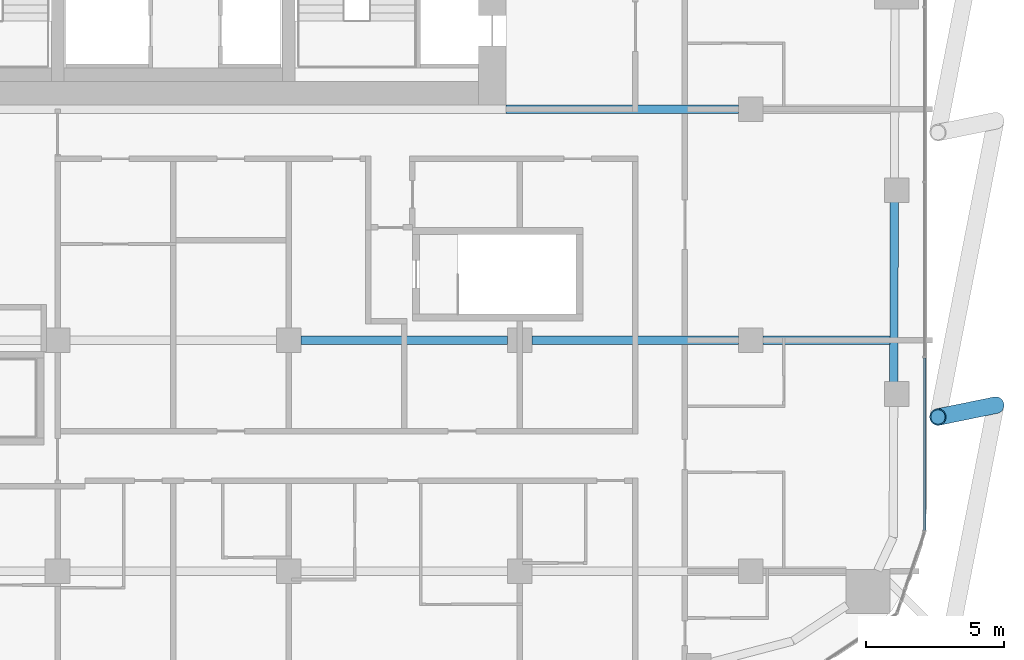
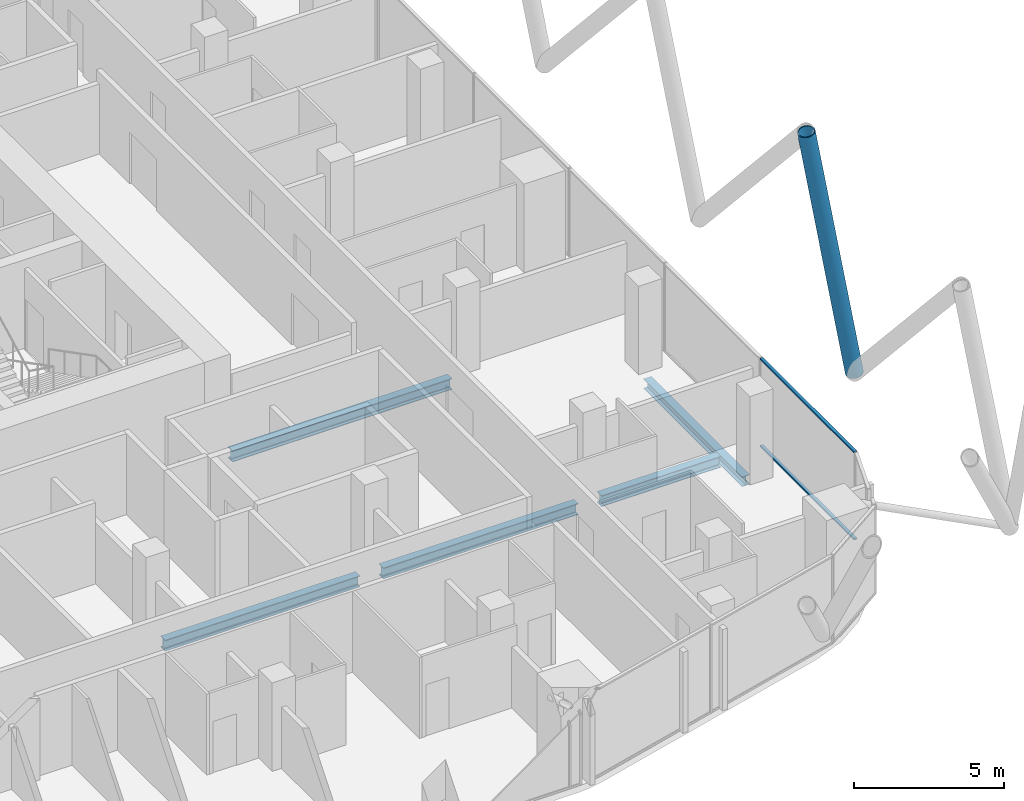
# One storey, part 8 of 34: 5 beams, 3 members, 1 element without a shape of its own.
"""IFC4 building model written with IfcOpenShell, lengths in metres."""

from ifc_helpers import new_model, si_unit, direction, frame, origin, origin_2d, place, context, subcontext, project, spatial, rectangle, hollow_circle, i_section, extrude, material, layer, layer_set, material_profile, profile_set, type_object, element, aggregate, save


model = new_model("IFC4")

# Units and contexts
model_context = context("Model", 3, precision=1e-05, world=origin(), true_north=direction((0.0, 1.0)))
body_context = subcontext(model_context, "Body", "Model", "MODEL_VIEW")
ifc_project = project(units=[si_unit("LENGTHUNIT", "METRE"), si_unit("AREAUNIT", "SQUARE_METRE"), si_unit("VOLUMEUNIT", "CUBIC_METRE"), si_unit("PLANEANGLEUNIT", "RADIAN"), si_unit("MASSUNIT", "GRAM", prefix="KILO")], contexts=[model_context])

# Site, building, storey
site_placement = place(None, origin())
site = spatial("IfcSite", under=ifc_project, at=site_placement, CompositionType="ELEMENT")
building_placement = place(site_placement, origin())
building = spatial("IfcBuilding", under=site, at=building_placement, Name="Marenta Gate Hotel Tower", CompositionType="ELEMENT")
storey_placement = place(building_placement, frame((0.0, 0.0, 166.10009765625)))
storey = spatial("IfcBuildingStorey", under=building, at=storey_placement, Name="L39", CompositionType="ELEMENT", Elevation=166.10009765625)

# Member
ifc_material_1 = material(Name="Steel S355J2W", Category="steel")
ifc_material_profile_1 = material_profile(ifc_material_1, hollow_circle(Radius=0.304931640625, WallThickness=0.0400390625, at=origin_2d()), Name="CHS 610x40")
ifc_profile_set_1 = profile_set([ifc_material_profile_1], Name="Steel S355J2W")
member_type_1 = type_object("IfcMemberType", Name="Diagrid diagonal T2 CHS 610x40", PredefinedType="BRACE", material=ifc_profile_set_1)
member_1_placement = place(storey_placement, frame((29.89990234375, -10.760009765625, 3.139892578125), z_axis=(-0.190710283799, -0.03906888967, 0.980868599514), x_axis=(0.200691904122, -0.979654408258, 0.0)))
element("IfcMember", 1, at=member_1_placement, inside=storey, type_object=member_type_1, Name="L39-DG-8", PredefinedType="BRACE", context=body_context, shape_type="SweptSolid", body=[
    extrude(hollow_circle(Radius=0.304931640625, WallThickness=0.0400390625, at=origin_2d()), origin(), (0.0, 0.0, 1.0), 11.0107421875),
])

# Beams
ifc_material_2 = material(Name="Steel S355", Category="steel")
ifc_material_profile_2 = material_profile(ifc_material_2, i_section(OverallWidth=0.300048828125, OverallDepth=0.39990234375, WebThickness=0.013427734375, FlangeThickness=0.02392578125, FilletRadius=0.027099609375, at=origin_2d()), Name="HEB 400")
ifc_profile_set_2 = profile_set([ifc_material_profile_2], Name="Steel S355")
beam_type_1 = type_object("IfcBeamType", Name="Edge beam HEB 400", PredefinedType="SPANDREL", material=ifc_profile_set_2)
beam_1_placement = place(storey_placement, frame((26.2158203125, -3.36083984375, -0.460205078125), z_axis=(-0.00333875569, -0.99999442634, 0.0), x_axis=(0.99999442634, -0.00333875569, 0.0)))
element("IfcBeam", 2, at=beam_1_placement, inside=storey, type_object=beam_type_1, Name="L39-EB-26", PredefinedType="SPANDREL", context=body_context, shape_type="SweptSolid", body=[
    extrude(i_section(OverallWidth=0.300048828125, OverallDepth=0.39990234375, WebThickness=0.013427734375, FlangeThickness=0.02392578125, FilletRadius=0.027099609375, at=origin_2d()), origin(), (0.0, 0.0, 1.0), 6.5810546875),
])
ifc_material_3 = material(Name="Steel S355", Category="steel")
ifc_material_profile_3 = material_profile(ifc_material_3, i_section(OverallWidth=0.300048828125, OverallDepth=0.449951171875, WebThickness=0.013916015625, FlangeThickness=0.02587890625, FilletRadius=0.027099609375, at=origin_2d()), Name="HEB 450")
ifc_profile_set_3 = profile_set([ifc_material_profile_3], Name="Steel S355")
beam_type_2 = type_object("IfcBeamType", Name="Girder HEB 450", PredefinedType="BEAM", material=ifc_profile_set_3)
for number, where, z_axis, x_axis, name in (
    (3, (4.64990234375, -8.39990234375, -0.485107421875), (1.0, 0.0, 0.0), (0.0, 1.0, 0.0), "L39-GD-12"),
    (4, (13.050048828125, -8.39990234375, -0.485107421875), (1.0, 0.0, 0.0), (0.0, 1.0, 0.0), "L39-GD-13"),
):
    element("IfcBeam", number, at=place(storey_placement, frame(where, z_axis=z_axis, x_axis=x_axis)), inside=storey, type_object=beam_type_2, Name=name, PredefinedType="BEAM", context=body_context, shape_type="SweptSolid", body=[
        extrude(i_section(OverallWidth=0.300048828125, OverallDepth=0.449951171875, WebThickness=0.013916015625, FlangeThickness=0.02587890625, FilletRadius=0.027099609375, at=origin_2d()), origin(), (0.0, 0.0, 1.0), 7.5),
    ])
beam_2_placement = place(storey_placement, frame((21.449951171875, -8.39990234375, -0.485107421875), z_axis=(1.0, 0.0, 0.0), x_axis=(0.0, 1.0, 0.0)))
element("IfcBeam", 5, at=beam_2_placement, inside=storey, type_object=beam_type_2, Name="L39-GD-14", PredefinedType="BEAM", context=body_context, shape_type="SweptSolid", body=[
    extrude(i_section(OverallWidth=0.300048828125, OverallDepth=0.449951171875, WebThickness=0.013916015625, FlangeThickness=0.02587890625, FilletRadius=0.027099609375, at=origin_2d()), origin(), (0.0, 0.0, 1.0), 4.59912109375),
])
beam_3_placement = place(storey_placement, frame((12.10009765625, 0.0, -0.485107421875), z_axis=(1.0, 0.0, 0.0), x_axis=(0.0, 1.0, 0.0)))
element("IfcBeam", 6, at=beam_3_placement, inside=storey, type_object=beam_type_2, Name="L39-GD-18", PredefinedType="BEAM", context=body_context, shape_type="SweptSolid", body=[
    extrude(i_section(OverallWidth=0.300048828125, OverallDepth=0.449951171875, WebThickness=0.013916015625, FlangeThickness=0.02587890625, FilletRadius=0.027099609375, at=origin_2d()), origin(), (0.0, 0.0, 1.0), 8.449951171875),
])

# Curtain wall, members
ifc_material_4 = material(Name="Tinted insulated glass in bronze anodised frame", Category="glass")
ifc_layer = layer(ifc_material_4, 0.1201171875)
ifc_layer_set = layer_set([ifc_layer], Name="Tinted insulated glass in bronze anodised frame")
curtain_wall_type = type_object("IfcCurtainWallType", Name="Tower unitised curtain wall CW1", PredefinedType="NOTDEFINED", material=ifc_layer_set)
curtain_wall_placement = place(storey_placement, origin())
curtain_wall = element("IfcCurtainWall", 7, at=curtain_wall_placement, inside=storey, type_object=curtain_wall_type, Name="CW1 run G19", PredefinedType="NOTDEFINED")
ifc_material_5 = material(Name="Bronze anodised aluminium", Category="aluminium")
ifc_material_profile_4 = material_profile(ifc_material_5, rectangle(XDim=0.1201171875, YDim=0.06005859375, at=origin_2d()), Name="Transom CW1 60x120 bronze anodised aluminium")
ifc_profile_set_4 = profile_set([ifc_material_profile_4], Name="Bronze anodised aluminium")
member_type_2 = type_object("IfcMemberType", Name="Transom CW1 60x120 bronze anodised aluminium", PredefinedType="USERDEFINED", material=ifc_profile_set_4)
member_2_placement = place(storey_placement, frame((27.31396484375, -15.30810546875, 0.02978515625), z_axis=(0.0, 1.0, 0.0), x_axis=(-1.0, 0.0, 0.0)))
member_2 = element("IfcMember", 8, at=member_2_placement, type_object=member_type_2, Name="CW1 transom 1.1", ObjectType="TRANSOM", PredefinedType="USERDEFINED", context=body_context, shape_type="SweptSolid", body=[
    extrude(rectangle(XDim=0.1201171875, YDim=0.06005859375, at=origin_2d()), origin(), (0.0, 0.0, 1.0), 6.27001953125),
])
member_3_placement = place(storey_placement, frame((27.31396484375, -15.30810546875, 3.56982421875), z_axis=(0.0, 1.0, 0.0), x_axis=(-1.0, 0.0, 0.0)))
member_3 = element("IfcMember", 9, at=member_3_placement, type_object=member_type_2, Name="CW1 transom 1.2", ObjectType="TRANSOM", PredefinedType="USERDEFINED", context=body_context, shape_type="SweptSolid", body=[
    extrude(rectangle(XDim=0.1201171875, YDim=0.06005859375, at=origin_2d()), origin(), (0.0, 0.0, 1.0), 6.27001953125),
])
aggregate(curtain_wall, [member_2, member_3])

save(model, "model.ifc")
